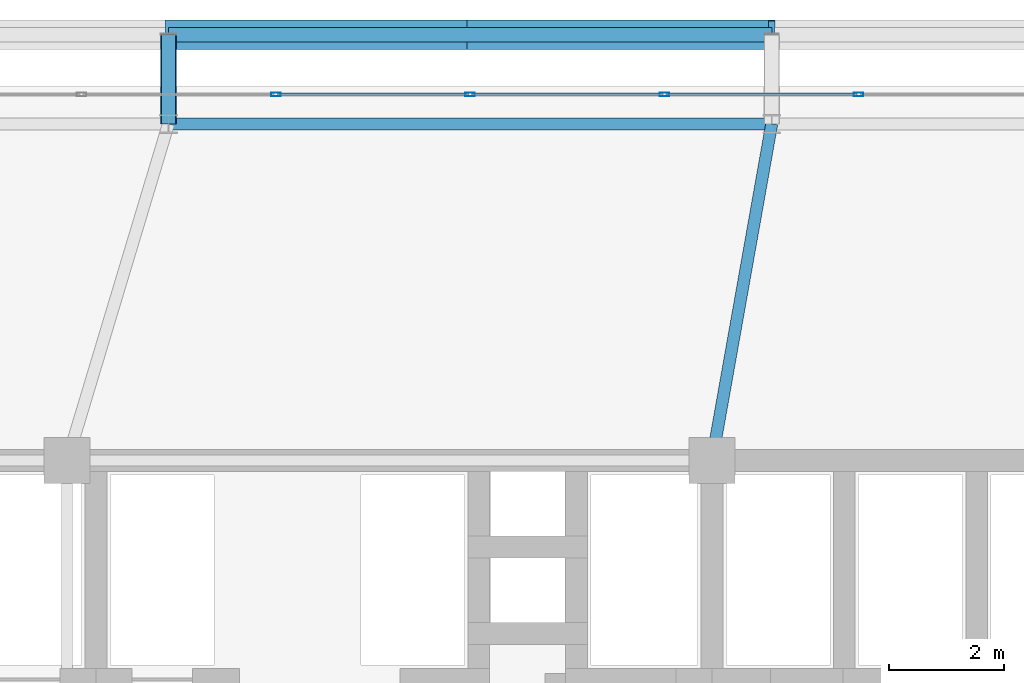
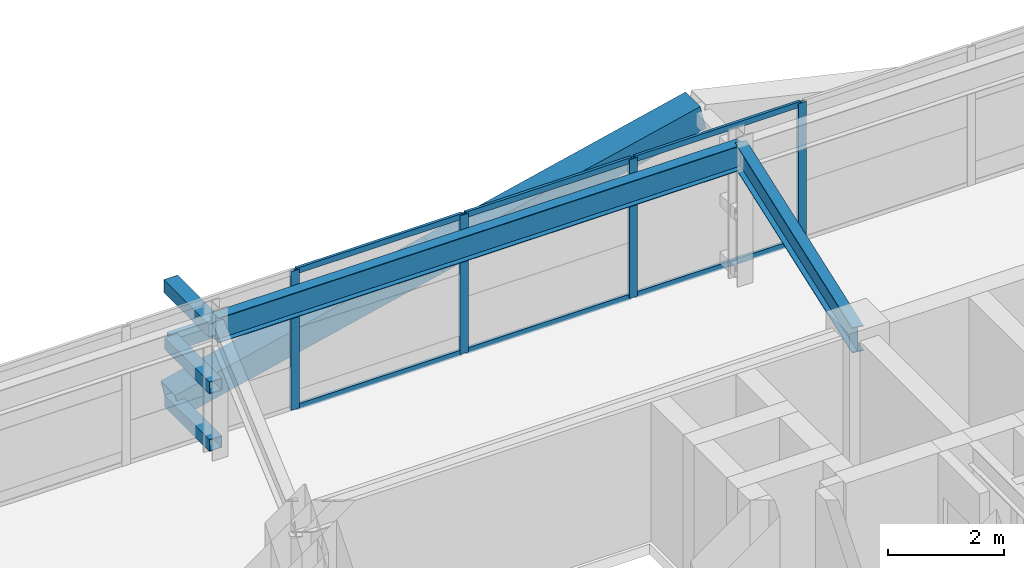
# One storey, part 37 of 59: 16 members, 2 beams, 1 element without a shape of its own.
"""IFC4 building model written with IfcOpenShell, lengths in metres."""

from ifc_helpers import new_model, si_unit, direction, frame, origin, origin_2d, place, context, subcontext, project, spatial, hollow_rectangle, i_section, extrude, source, transform, mapped, material, layer, layer_set, material_profile, profile_set, type_object, element, aggregate, save


model = new_model("IFC4")

# Units and contexts
model_context = context("Model", 3, precision=1e-05, world=origin(), true_north=direction((0.0, 1.0)))
body_context = subcontext(model_context, "Body", "Model", "MODEL_VIEW")
ifc_project = project(units=[si_unit("LENGTHUNIT", "METRE"), si_unit("AREAUNIT", "SQUARE_METRE"), si_unit("VOLUMEUNIT", "CUBIC_METRE"), si_unit("PLANEANGLEUNIT", "RADIAN"), si_unit("MASSUNIT", "GRAM", prefix="KILO")], contexts=[model_context])

# Site, building, storey
site_placement = place(None, origin())
site = spatial("IfcSite", under=ifc_project, at=site_placement, CompositionType="ELEMENT")
building_placement = place(site_placement, origin())
building = spatial("IfcBuilding", under=site, at=building_placement, Name="Taldren Reach Tower", CompositionType="ELEMENT")
storey_placement = place(building_placement, frame((0.0, 0.0, 29.39990234375)))
storey = spatial("IfcBuildingStorey", under=building, at=storey_placement, Name="L08", CompositionType="ELEMENT", Elevation=29.39990234375)

# Beams
ifc_material_1 = material(Name="Steel Gr 350 (350PLUS)", Category="steel")
ifc_material_profile_1 = material_profile(ifc_material_1, i_section(OverallWidth=0.208984375, OverallDepth=0.528076171875, WebThickness=0.009521484375, FlangeThickness=0.01318359375, at=origin_2d()), Name="530UB82.0")
ifc_profile_set_1 = profile_set([ifc_material_profile_1], Name="Steel Gr 350 (350PLUS)")
beam_type_1 = type_object("IfcBeamType", Name="SP-UB530B", PredefinedType="SPANDREL", material=ifc_profile_set_1)
shared_shape_1 = source(origin(), body_context, "Body", "SweptSolid", [
    extrude(i_section(OverallWidth=0.208984375, OverallDepth=0.528076171875, WebThickness=0.009521484375, FlangeThickness=0.01318359375, at=origin_2d()), origin(), (0.0, 0.0, 1.0), 10.47998046875),
])
beam_1_placement = place(storey_placement, frame((40.239990234375, 37.85009765625, 2.666015625), z_axis=(-1.0, 0.0, 0.0), x_axis=(0.0, -1.0, 0.0)))
element("IfcBeam", 1, at=beam_1_placement, inside=storey, type_object=beam_type_1, Name="Perimeter spandrel B1 N4-N3 L08", PredefinedType="SPANDREL", context=body_context, shape_type="MappedRepresentation", body=[
    mapped(shared_shape_1, transform((0.0, 0.0, 0.0), scale=1.0)),
])
ifc_material_profile_2 = material_profile(ifc_material_1, i_section(OverallWidth=0.208984375, OverallDepth=0.532958984375, WebThickness=0.01025390625, FlangeThickness=0.015625, at=origin_2d()), Name="530UB92.4")
ifc_profile_set_2 = profile_set([ifc_material_profile_2], Name="Steel Gr 350 (350PLUS)")
beam_type_2 = type_object("IfcBeamType", Name="BM-UB530A", PredefinedType="BEAM", material=ifc_profile_set_2)
shared_shape_2 = source(origin(), body_context, "Body", "SweptSolid", [
    extrude(i_section(OverallWidth=0.208984375, OverallDepth=0.532958984375, WebThickness=0.01025390625, FlangeThickness=0.015625, at=origin_2d()), origin(), (0.0, 0.0, 1.0), 5.94189453125),
])
beam_2_placement = place(storey_placement, frame((39.199951171875, 32.0, 2.66357421875), z_axis=(0.17503687513, 0.984561878373, 0.0), x_axis=(-0.984561878373, 0.17503687513, 0.0)))
element("IfcBeam", 2, at=beam_2_placement, inside=storey, type_object=beam_type_2, Name="Primary floor girder B1-N4 L08", PredefinedType="BEAM", context=body_context, shape_type="MappedRepresentation", body=[
    mapped(shared_shape_2, transform((0.0, 0.0, 0.0), scale=1.0)),
])

# Members
ifc_material_2 = material(Name="Steel Gr 450 (C450L0)", Category="steel")
ifc_material_profile_3 = material_profile(ifc_material_2, hollow_rectangle(XDim=0.27490234375, YDim=0.27490234375, WallThickness=0.00927734375, at=origin_2d()), Name="275x275x9.3SHS")
ifc_profile_set_3 = profile_set([ifc_material_profile_3], Name="Steel Gr 450 (C450L0)")
member_type_1 = type_object("IfcMemberType", Name="MB-TIE273", PredefinedType="STRUT", material=ifc_profile_set_3)
shared_shape_3 = source(origin(), body_context, "Body", "SweptSolid", [
    extrude(hollow_rectangle(XDim=0.27490234375, YDim=0.27490234375, WallThickness=0.00927734375, at=origin_2d()), origin(), (0.0, 0.0, 1.0), 1.5498046875),
])
member_1_placement = place(storey_placement, frame((29.760009765625, 37.85009765625, 2.650146484375), z_axis=(0.0, 1.0, 0.0), x_axis=(-1.0, 0.0, 0.0)))
element("IfcMember", 3, at=member_1_placement, inside=storey, type_object=member_type_1, Name="Exoskeleton diaphragm tie strut B1-N3 L08", PredefinedType="STRUT", context=body_context, shape_type="MappedRepresentation", body=[
    mapped(shared_shape_3, transform((0.0, 0.0, 0.0), scale=1.0)),
])
ifc_material_profile_4 = material_profile(ifc_material_2, hollow_rectangle(XDim=0.510009765625, YDim=0.510009765625, WallThickness=0.02001953125, at=origin_2d()), Name="510x510x20.0SHS")
ifc_profile_set_4 = profile_set([ifc_material_profile_4], Name="Steel Gr 450 (C450L0)")
member_type_2 = type_object("IfcMemberType", Name="MB-EXO508", PredefinedType="BRACE", material=ifc_profile_set_4)
shared_shape_4 = source(origin(), body_context, "Body", "SweptSolid", [
    extrude(hollow_rectangle(XDim=0.510009765625, YDim=0.510009765625, WallThickness=0.02001953125, at=origin_2d()), origin(), (0.0, 0.0, 1.0), 5.37890625),
])
for number, where, z_axis, x_axis, name in (
    (4, (29.760009765625, 39.39990234375, 0.22021484375), (0.974161966843, 0.0, 0.225850531007), (0.0, 1.0, 0.0), "Exoskeleton Diagrid Brace B1-N3 L08"),
    (5, (35.0, 39.39990234375, 1.43505859375), (0.97415197996, 0.0, 0.225893603143), (0.0, 1.0, 0.0), "Exoskeleton Diagrid Brace B1-N3 L08"),
):
    element("IfcMember", number, at=place(storey_placement, frame(where, z_axis=z_axis, x_axis=x_axis)), inside=storey, type_object=member_type_2, Name=name, PredefinedType="BRACE", context=body_context, shape_type="MappedRepresentation", body=[
        mapped(shared_shape_4, transform((0.0, 0.0, 0.0), scale=1.0)),
    ])
ifc_material_3 = material(Name="Steel Gr 350 (C350L0)", Category="steel")
ifc_material_profile_5 = material_profile(ifc_material_3, hollow_rectangle(XDim=0.25, YDim=0.25, WallThickness=0.010009765625, at=origin_2d()), Name="250x250x10.0SHS")
ifc_profile_set_5 = profile_set([ifc_material_profile_5], Name="Steel Gr 350 (C350L0)")
member_type_3 = type_object("IfcMemberType", Name="MB-POST250", PredefinedType="POST", material=ifc_profile_set_5)
shared_shape_5 = source(origin(), body_context, "Body", "SweptSolid", [
    extrude(hollow_rectangle(XDim=0.25, YDim=0.25, WallThickness=0.010009765625, at=origin_2d()), origin(), (0.0, 0.0, 1.0), 10.47998046875),
])
member_2_placement = place(storey_placement, frame((29.760009765625, 39.39990234375, 1.43505859375), z_axis=(1.0, 0.0, 0.0), x_axis=(0.0, 1.0, 0.0)))
element("IfcMember", 6, at=member_2_placement, inside=storey, type_object=member_type_3, Name="Exoskeleton mid-height ring chord B1-N3 L08", PredefinedType="POST", context=body_context, shape_type="MappedRepresentation", body=[
    mapped(shared_shape_5, transform((0.0, 0.0, 0.0), scale=1.0)),
])
shared_shape_6 = source(origin(), body_context, "Body", "SweptSolid", [
    extrude(hollow_rectangle(XDim=0.25, YDim=0.25, WallThickness=0.010009765625, at=origin_2d()), origin(), (0.0, 0.0, 1.0), 1.5498046875),
])
for number, where, z_axis, x_axis, name in (
    (7, (29.760009765625, 37.85009765625, 0.22021484375), (0.0, 1.0, 0.0), (-1.0, 0.0, 0.0), "Exoskeleton base diaphragm tie strut B1-N3 L08"),
    (8, (29.760009765625, 37.85009765625, 1.43505859375), (0.0, 1.0, 0.0), (-1.0, 0.0, 0.0), "Exoskeleton mid-tier diaphragm tie B1-N3 L08"),
):
    element("IfcMember", number, at=place(storey_placement, frame(where, z_axis=z_axis, x_axis=x_axis)), inside=storey, type_object=member_type_3, Name=name, PredefinedType="POST", context=body_context, shape_type="MappedRepresentation", body=[
        mapped(shared_shape_6, transform((0.0, 0.0, 0.0), scale=1.0)),
    ])

# Curtain wall, members
ifc_material_4 = material(Name="Aluminium and Low-E Glass Unitised System", Category="aluminium")
ifc_layer = layer(ifc_material_4, 0.159912109375)
ifc_layer_set = layer_set([ifc_layer], Name="Aluminium and Low-E Glass Unitised System")
curtain_wall_type = type_object("IfcCurtainWallType", Name="CW-SYS-2", PredefinedType="NOTDEFINED", material=ifc_layer_set)
curtain_wall_placement = place(storey_placement, origin())
curtain_wall = element("IfcCurtainWall", 9, at=curtain_wall_placement, inside=storey, type_object=curtain_wall_type, Name="Unitised curtain wall CW-L08-N", PredefinedType="NOTDEFINED")
ifc_material_5 = material(Name="Anodised Aluminium 6063-T6", Category="aluminium")
ifc_material_profile_6 = material_profile(ifc_material_5, hollow_rectangle(XDim=0.054931640625, YDim=0.1201171875, WallThickness=0.0029296875, at=origin_2d()), Name="ALU-120x55x3RHS")
ifc_profile_set_6 = profile_set([ifc_material_profile_6], Name="Anodised Aluminium 6063-T6")
member_type_4 = type_object("IfcMemberType", Name="CW-TRN-135", PredefinedType="USERDEFINED", material=ifc_profile_set_6)
shared_shape_7 = source(origin(), body_context, "Body", "SweptSolid", [
    extrude(hollow_rectangle(XDim=0.054931640625, YDim=0.1201171875, WallThickness=0.0029296875, at=origin_2d()), origin(), (0.0, 0.0, 1.0), 3.31005859375),
])
member_3_placement = place(storey_placement, frame((41.717529296875, 38.360107421875, 0.027587890625), z_axis=(-1.0, 0.0, 0.0), x_axis=(0.0, -1.0, 0.0)))
member_3 = element("IfcMember", 10, at=member_3_placement, type_object=member_type_4, Name="CW-2 transom 7.1", ObjectType="TRANSOM", PredefinedType="USERDEFINED", context=body_context, shape_type="MappedRepresentation", body=[
    mapped(shared_shape_7, transform((0.0, 0.0, 0.0), scale=1.0)),
])
member_4_placement = place(storey_placement, frame((41.717529296875, 38.360107421875, 2.902587890625), z_axis=(-1.0, 0.0, 0.0), x_axis=(0.0, -1.0, 0.0)))
member_4 = element("IfcMember", 11, at=member_4_placement, type_object=member_type_4, Name="CW-2 transom 7.2", ObjectType="TRANSOM", PredefinedType="USERDEFINED", context=body_context, shape_type="MappedRepresentation", body=[
    mapped(shared_shape_7, transform((0.0, 0.0, 0.0), scale=1.0)),
])
member_5_placement = place(storey_placement, frame((38.342529296875, 38.360107421875, 0.027587890625), z_axis=(-1.0, 0.0, 0.0), x_axis=(0.0, -1.0, 0.0)))
member_5 = element("IfcMember", 12, at=member_5_placement, type_object=member_type_4, Name="CW-2 transom 8.1", ObjectType="TRANSOM", PredefinedType="USERDEFINED", context=body_context, shape_type="MappedRepresentation", body=[
    mapped(shared_shape_7, transform((0.0, 0.0, 0.0), scale=1.0)),
])
member_6_placement = place(storey_placement, frame((38.342529296875, 38.360107421875, 2.902587890625), z_axis=(-1.0, 0.0, 0.0), x_axis=(0.0, -1.0, 0.0)))
member_6 = element("IfcMember", 13, at=member_6_placement, type_object=member_type_4, Name="CW-2 transom 8.2", ObjectType="TRANSOM", PredefinedType="USERDEFINED", context=body_context, shape_type="MappedRepresentation", body=[
    mapped(shared_shape_7, transform((0.0, 0.0, 0.0), scale=1.0)),
])
member_7_placement = place(storey_placement, frame((34.967529296875, 38.360107421875, 0.027587890625), z_axis=(-1.0, 0.0, 0.0), x_axis=(0.0, -1.0, 0.0)))
member_7 = element("IfcMember", 14, at=member_7_placement, type_object=member_type_4, Name="CW-2 transom 9.1", ObjectType="TRANSOM", PredefinedType="USERDEFINED", context=body_context, shape_type="MappedRepresentation", body=[
    mapped(shared_shape_7, transform((0.0, 0.0, 0.0), scale=1.0)),
])
member_8_placement = place(storey_placement, frame((34.967529296875, 38.360107421875, 2.902587890625), z_axis=(-1.0, 0.0, 0.0), x_axis=(0.0, -1.0, 0.0)))
member_8 = element("IfcMember", 15, at=member_8_placement, type_object=member_type_4, Name="CW-2 transom 9.2", ObjectType="TRANSOM", PredefinedType="USERDEFINED", context=body_context, shape_type="MappedRepresentation", body=[
    mapped(shared_shape_7, transform((0.0, 0.0, 0.0), scale=1.0)),
])
ifc_material_profile_7 = material_profile(ifc_material_5, hollow_rectangle(XDim=0.06494140625, YDim=0.1650390625, WallThickness=0.00390625, at=origin_2d()), Name="ALU-165x65x4RHS")
ifc_profile_set_7 = profile_set([ifc_material_profile_7], Name="Anodised Aluminium 6063-T6")
member_type_5 = type_object("IfcMemberType", Name="CW-MUL-165", PredefinedType="MULLION", material=ifc_profile_set_7)
shared_shape_8 = source(origin(), body_context, "Body", "SweptSolid", [
    extrude(hollow_rectangle(XDim=0.06494140625, YDim=0.1650390625, WallThickness=0.00390625, at=origin_2d()), origin(), (0.0, 0.0, 1.0), 2.93017578125),
])
member_9_placement = place(storey_placement, frame((41.75, 38.360107421875, 0.0), z_axis=(0.0, 0.0, 1.0), x_axis=(0.0, -1.0, 0.0)))
member_9 = element("IfcMember", 16, at=member_9_placement, type_object=member_type_5, Name="CW-2 mullion 7", PredefinedType="MULLION", context=body_context, shape_type="MappedRepresentation", body=[
    mapped(shared_shape_8, transform((0.0, 0.0, 0.0), scale=1.0)),
])
member_10_placement = place(storey_placement, frame((38.375, 38.360107421875, 0.0), z_axis=(0.0, 0.0, 1.0), x_axis=(0.0, -1.0, 0.0)))
member_10 = element("IfcMember", 17, at=member_10_placement, type_object=member_type_5, Name="CW-2 mullion 8", PredefinedType="MULLION", context=body_context, shape_type="MappedRepresentation", body=[
    mapped(shared_shape_8, transform((0.0, 0.0, 0.0), scale=1.0)),
])
member_11_placement = place(storey_placement, frame((35.0, 38.360107421875, 0.0), z_axis=(0.0, 0.0, 1.0), x_axis=(0.0, -1.0, 0.0)))
member_11 = element("IfcMember", 18, at=member_11_placement, type_object=member_type_5, Name="CW-2 mullion 9", PredefinedType="MULLION", context=body_context, shape_type="MappedRepresentation", body=[
    mapped(shared_shape_8, transform((0.0, 0.0, 0.0), scale=1.0)),
])
member_12_placement = place(storey_placement, frame((31.625, 38.360107421875, 0.0), z_axis=(0.0, 0.0, 1.0), x_axis=(0.0, -1.0, 0.0)))
member_12 = element("IfcMember", 19, at=member_12_placement, type_object=member_type_5, Name="CW-2 mullion 10", PredefinedType="MULLION", context=body_context, shape_type="MappedRepresentation", body=[
    mapped(shared_shape_8, transform((0.0, 0.0, 0.0), scale=1.0)),
])
aggregate(curtain_wall, [member_9, member_10, member_11, member_12, member_3, member_4, member_5, member_6, member_7, member_8])

save(model, "model.ifc")
